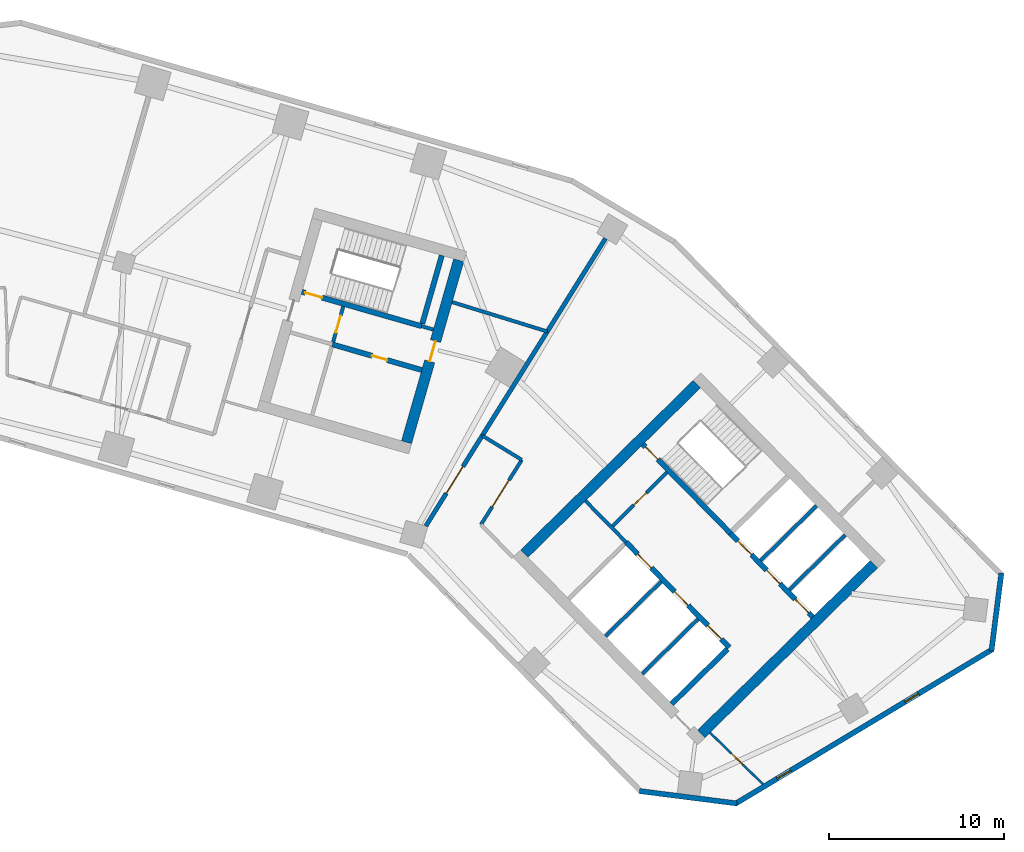
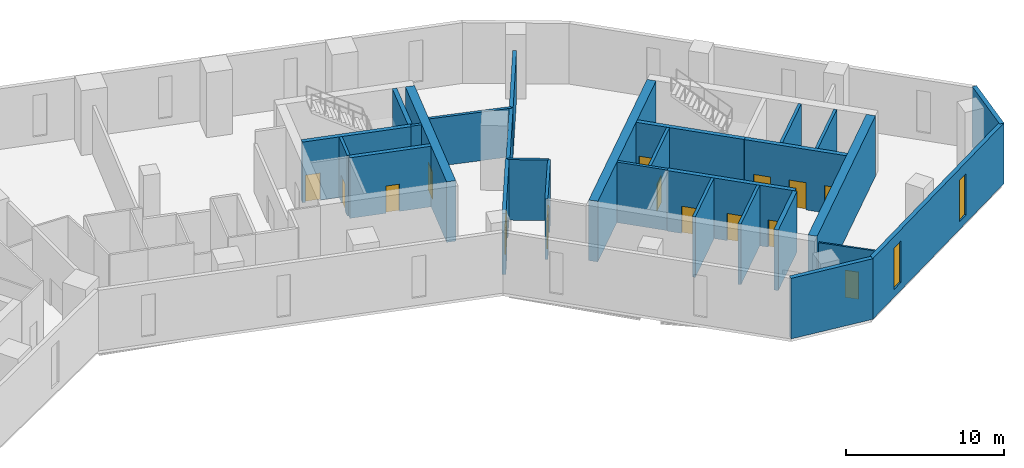
# One storey, part 6 of 10: 28 walls, 15 doors, 2 windows, 17 openings.
"""IFC4 building model written with IfcOpenShell, lengths in metres."""

from ifc_helpers import new_model, si_unit, direction, frame, frame_2d, origin, place, context, subcontext, project, spatial, rectangle, extrude, material, layer, layer_set, type_object, element, fill, save


model = new_model("IFC4")

# Units and contexts
model_context = context("Model", 3, precision=1e-05, world=origin(), true_north=direction((0.0, 1.0)))
body_context = subcontext(model_context, "Body", "Model", "MODEL_VIEW")
ifc_project = project(units=[si_unit("LENGTHUNIT", "METRE"), si_unit("AREAUNIT", "SQUARE_METRE"), si_unit("VOLUMEUNIT", "CUBIC_METRE"), si_unit("PLANEANGLEUNIT", "RADIAN"), si_unit("MASSUNIT", "GRAM", prefix="KILO")], contexts=[model_context])

# Site, building, storey
site_placement = place(None, origin())
site = spatial("IfcSite", under=ifc_project, at=site_placement, CompositionType="ELEMENT")
building_placement = place(site_placement, origin())
building = spatial("IfcBuilding", under=site, at=building_placement, Name="Binnacle Exchange Tower", CompositionType="ELEMENT")
storey_placement = place(building_placement, frame((0.0, 0.0, 51.5)))
storey = spatial("IfcBuildingStorey", under=building, at=storey_placement, Name="L10", CompositionType="ELEMENT", Elevation=51.5)

# Wall, openings, doors
ifc_material_1 = material(Name="Concrete C70/85", Category="concrete")
ifc_layer_1 = layer(ifc_material_1, 0.300048828125)
ifc_layer_set_1 = layer_set([ifc_layer_1], Name="Core wall - front 300")
wall_type_1 = type_object("IfcWallType", Name="Core wall - front 300", PredefinedType="SOLIDWALL", material=ifc_layer_set_1)
wall_1_placement = place(storey_placement, frame((37.8740234375, 41.41552734375, 0.0), z_axis=(0.0, 0.0, 1.0), x_axis=(0.700918271237, -0.71324159795, 0.0)))
wall_1 = element("IfcWall", 1, at=wall_1_placement, inside=storey, type_object=wall_type_1, Name="Core wall CRWB3", PredefinedType="SOLIDWALL", context=body_context, shape_type="SweptSolid", body=[
    extrude(rectangle(XDim=8.39990234375, YDim=0.300048828125, at=frame_2d((4.199951171875, 0.0))), origin(), (0.0, 0.0, 1.0), 4.679931640625),
])
opening_1_placement = place(wall_1_placement, frame((0.949951171875, 0.0, 0.0)))
opening_1 = element("IfcOpeningElement", 2, at=opening_1_placement, cuts=wall_1, Name="Opening LD15", PredefinedType="OPENING", context=body_context, shape_type="SweptSolid", body=[
    extrude(rectangle(XDim=1.10009765625, YDim=2.10009765625, at=frame_2d((0.550048828125, 1.050048828125))), frame((0.0, 0.159912109375, 0.0), z_axis=(0.0, -1.0, 0.0), x_axis=(1.0, 0.0, 0.0)), (0.0, 0.0, 1.0), 0.320068359375),
])
opening_2_placement = place(wall_1_placement, frame((3.949951171875, 0.0, 0.0)))
opening_2 = element("IfcOpeningElement", 3, at=opening_2_placement, cuts=wall_1, Name="Opening LD16", PredefinedType="OPENING", context=body_context, shape_type="SweptSolid", body=[
    extrude(rectangle(XDim=1.10009765625, YDim=2.10009765625, at=frame_2d((0.550048828125, 1.050048828125))), frame((0.0, 0.159912109375, 0.0), z_axis=(0.0, -1.0, 0.0), x_axis=(1.0, 0.0, 0.0)), (0.0, 0.0, 1.0), 0.320068359375),
])
opening_3_placement = place(wall_1_placement, frame((6.64990234375, 0.0, 0.0)))
opening_3 = element("IfcOpeningElement", 4, at=opening_3_placement, cuts=wall_1, Name="Opening LD4", PredefinedType="OPENING", context=body_context, shape_type="SweptSolid", body=[
    extrude(rectangle(XDim=1.10009765625, YDim=2.10009765625, at=frame_2d((0.550048828125, 1.050048828125))), frame((0.0, 0.159912109375, 0.0), z_axis=(0.0, -1.0, 0.0), x_axis=(1.0, 0.0, 0.0)), (0.0, 0.0, 1.0), 0.320068359375),
])
ifc_material_2 = material(Name="Steel door leaf", Category="steel")
door_type_1 = type_object("IfcDoorType", Name="Fire door - lift landing 1100", OperationType="NOTDEFINED", PredefinedType="DOOR", material=ifc_material_2)
door_1_placement = place(opening_1_placement, origin())
door_1 = element("IfcDoor", 5, at=door_1_placement, inside=storey, type_object=door_type_1, Name="Landing door LD15 L10", OperationType="DOUBLE_DOOR_SLIDING", OverallHeight=2.10009765625, OverallWidth=1.10009765625, PredefinedType="DOOR", context=body_context, shape_type="SweptSolid", body=[
    extrude(rectangle(XDim=1.10009765625, YDim=2.10009765625, at=frame_2d((0.550048828125, 1.050048828125))), frame((0.0, 0.02490234375, 0.0), z_axis=(0.0, -1.0, 0.0), x_axis=(1.0, 0.0, 0.0)), (0.0, 0.0, 1.0), 0.050048828125),
])
fill(opening_1, door_1)
door_2_placement = place(opening_2_placement, origin())
door_2 = element("IfcDoor", 6, at=door_2_placement, inside=storey, type_object=door_type_1, Name="Landing door LD16 L10", OperationType="DOUBLE_DOOR_SLIDING", OverallHeight=2.10009765625, OverallWidth=1.10009765625, PredefinedType="DOOR", context=body_context, shape_type="SweptSolid", body=[
    extrude(rectangle(XDim=1.10009765625, YDim=2.10009765625, at=frame_2d((0.550048828125, 1.050048828125))), frame((0.0, 0.02490234375, 0.0), z_axis=(0.0, -1.0, 0.0), x_axis=(1.0, 0.0, 0.0)), (0.0, 0.0, 1.0), 0.050048828125),
])
fill(opening_2, door_2)
door_3_placement = place(opening_3_placement, origin())
door_3 = element("IfcDoor", 7, at=door_3_placement, inside=storey, type_object=door_type_1, Name="Landing door LD4 L10", OperationType="DOUBLE_DOOR_SLIDING", OverallHeight=2.10009765625, OverallWidth=1.10009765625, PredefinedType="DOOR", context=body_context, shape_type="SweptSolid", body=[
    extrude(rectangle(XDim=1.10009765625, YDim=2.10009765625, at=frame_2d((0.550048828125, 1.050048828125))), frame((0.0, 0.02490234375, 0.0), z_axis=(0.0, -1.0, 0.0), x_axis=(1.0, 0.0, 0.0)), (0.0, 0.0, 1.0), 0.050048828125),
])
fill(opening_3, door_3)

wall_2_placement = place(storey_placement, frame((43.818603515625, 41.92919921875, 0.0), z_axis=(0.0, 0.0, 1.0), x_axis=(0.700921619155, -0.713238307862, 0.0)))
wall_2 = element("IfcWall", 8, at=wall_2_placement, inside=storey, type_object=wall_type_1, Name="Core wall CRWB5", PredefinedType="SOLIDWALL", context=body_context, shape_type="SweptSolid", body=[
    extrude(rectangle(XDim=6.69970703125, YDim=0.300048828125, at=frame_2d((3.349853515625, 0.0))), origin(), (0.0, 0.0, 1.0), 4.679931640625),
])
opening_4_placement = place(wall_2_placement, frame((0.614990234375, 0.0, 0.0)))
opening_4 = element("IfcOpeningElement", 9, at=opening_4_placement, cuts=wall_2, Name="Opening LD1", PredefinedType="OPENING", context=body_context, shape_type="SweptSolid", body=[
    extrude(rectangle(XDim=1.10009765625, YDim=2.10009765625, at=frame_2d((0.550048828125, 1.050048828125))), frame((0.0, 0.159912109375, 0.0), z_axis=(0.0, -1.0, 0.0), x_axis=(1.0, 0.0, 0.0)), (0.0, 0.0, 1.0), 0.320068359375),
])
opening_5_placement = place(wall_2_placement, frame((2.945068359375, 0.0, 0.0)))
opening_5 = element("IfcOpeningElement", 10, at=opening_5_placement, cuts=wall_2, Name="Opening LD2", PredefinedType="OPENING", context=body_context, shape_type="SweptSolid", body=[
    extrude(rectangle(XDim=1.10009765625, YDim=2.10009765625, at=frame_2d((0.550048828125, 1.050048828125))), frame((0.0, 0.159912109375, 0.0), z_axis=(0.0, -1.0, 0.0), x_axis=(1.0, 0.0, 0.0)), (0.0, 0.0, 1.0), 0.320068359375),
])
opening_6_placement = place(wall_2_placement, frame((5.280029296875, 0.0, 0.0)))
opening_6 = element("IfcOpeningElement", 11, at=opening_6_placement, cuts=wall_2, Name="Opening LD3", PredefinedType="OPENING", context=body_context, shape_type="SweptSolid", body=[
    extrude(rectangle(XDim=1.10009765625, YDim=2.10009765625, at=frame_2d((0.550048828125, 1.050048828125))), frame((0.0, 0.159912109375, 0.0), z_axis=(0.0, -1.0, 0.0), x_axis=(1.0, 0.0, 0.0)), (0.0, 0.0, 1.0), 0.320068359375),
])
door_4_placement = place(opening_4_placement, origin())
door_4 = element("IfcDoor", 12, at=door_4_placement, inside=storey, type_object=door_type_1, Name="Landing door LD1 L10", OperationType="DOUBLE_DOOR_SLIDING", OverallHeight=2.10009765625, OverallWidth=1.10009765625, PredefinedType="DOOR", context=body_context, shape_type="SweptSolid", body=[
    extrude(rectangle(XDim=1.10009765625, YDim=2.10009765625, at=frame_2d((0.550048828125, 1.050048828125))), frame((0.0, 0.02490234375, 0.0), z_axis=(0.0, -1.0, 0.0), x_axis=(1.0, 0.0, 0.0)), (0.0, 0.0, 1.0), 0.050048828125),
])
fill(opening_4, door_4)
door_5_placement = place(opening_5_placement, origin())
door_5 = element("IfcDoor", 13, at=door_5_placement, inside=storey, type_object=door_type_1, Name="Landing door LD2 L10", OperationType="DOUBLE_DOOR_SLIDING", OverallHeight=2.10009765625, OverallWidth=1.10009765625, PredefinedType="DOOR", context=body_context, shape_type="SweptSolid", body=[
    extrude(rectangle(XDim=1.10009765625, YDim=2.10009765625, at=frame_2d((0.550048828125, 1.050048828125))), frame((0.0, 0.02490234375, 0.0), z_axis=(0.0, -1.0, 0.0), x_axis=(1.0, 0.0, 0.0)), (0.0, 0.0, 1.0), 0.050048828125),
])
fill(opening_5, door_5)
door_6_placement = place(opening_6_placement, origin())
door_6 = element("IfcDoor", 14, at=door_6_placement, inside=storey, type_object=door_type_1, Name="Landing door LD3 L10", OperationType="DOUBLE_DOOR_SLIDING", OverallHeight=2.10009765625, OverallWidth=1.10009765625, PredefinedType="DOOR", context=body_context, shape_type="SweptSolid", body=[
    extrude(rectangle(XDim=1.10009765625, YDim=2.10009765625, at=frame_2d((0.550048828125, 1.050048828125))), frame((0.0, 0.02490234375, 0.0), z_axis=(0.0, -1.0, 0.0), x_axis=(1.0, 0.0, 0.0)), (0.0, 0.0, 1.0), 0.050048828125),
])
fill(opening_6, door_6)

# Wall
wall_3_placement = place(storey_placement, frame((40.480712890625, 32.199951171875, 0.0), z_axis=(0.0, 0.0, 1.0), x_axis=(0.713251741427, 0.700907949271, 0.0)))
element("IfcWall", 15, at=wall_3_placement, inside=storey, type_object=wall_type_1, Name="Core wall CRWB14", PredefinedType="SOLIDWALL", context=body_context, shape_type="SweptSolid", body=[
    extrude(rectangle(XDim=4.4501953125, YDim=0.300048828125, at=frame_2d((2.22509765625, 0.0))), origin(), (0.0, 0.0, 1.0), 4.679931640625),
])

# Wall, opening, door
wall_4_placement = place(storey_placement, frame((21.130859375, 52.6923828125, 0.0), z_axis=(0.0, 0.0, 1.0), x_axis=(0.961271492568, -0.275603188616, 0.0)))
wall_4 = element("IfcWall", 16, at=wall_4_placement, inside=storey, type_object=wall_type_1, Name="Core wall CRWD3", PredefinedType="SOLIDWALL", context=body_context, shape_type="SweptSolid", body=[
    extrude(rectangle(XDim=5.300048828125, YDim=0.300048828125, at=frame_2d((2.64990234375, 0.0))), origin(), (0.0, 0.0, 1.0), 4.679931640625),
])
opening_7_placement = place(wall_4_placement, frame((2.35009765625, 0.0, 0.0)))
opening_7 = element("IfcOpeningElement", 17, at=opening_7_placement, cuts=wall_4, Name="Opening DD10", PredefinedType="OPENING", context=body_context, shape_type="SweptSolid", body=[
    extrude(rectangle(XDim=0.89990234375, YDim=2.10009765625, at=frame_2d((0.449951171875, 1.050048828125))), frame((0.0, 0.159912109375, 0.0), z_axis=(0.0, -1.0, 0.0), x_axis=(1.0, 0.0, 0.0)), (0.0, 0.0, 1.0), 0.320068359375),
])
door_type_2 = type_object("IfcDoorType", Name="Fire door 900", OperationType="NOTDEFINED", PredefinedType="DOOR", material=ifc_material_2)
door_7_placement = place(opening_7_placement, frame((0.89990234375, 0.0, 0.0), z_axis=(0.0, 0.0, 1.0), x_axis=(-1.0, 0.0, 0.0)))
door_7 = element("IfcDoor", 18, at=door_7_placement, inside=storey, type_object=door_type_2, Name="Core room door PANTRY", OperationType="SINGLE_SWING_LEFT", OverallHeight=2.10009765625, OverallWidth=0.89990234375, PredefinedType="DOOR", context=body_context, shape_type="SweptSolid", body=[
    extrude(rectangle(XDim=0.89990234375, YDim=2.10009765625, at=frame_2d((0.449951171875, 1.050048828125))), frame((0.0, 0.02490234375, 0.0), z_axis=(0.0, -1.0, 0.0), x_axis=(1.0, 0.0, 0.0)), (0.0, 0.0, 1.0), 0.050048828125),
])
fill(opening_7, door_7)

# Walls
ifc_layer_2 = layer(ifc_material_1, 0.60009765625)
ifc_layer_set_2 = layer_set([ifc_layer_2], Name="Core wall - outer 600")
wall_type_2 = type_object("IfcWallType", Name="Core wall - outer 600", PredefinedType="SOLIDWALL", material=ifc_layer_set_2)
for number, where, z_axis, x_axis, name in (
    (19, (32.06982421875, 40.759033203125, 0.0), (0.0, 0.0, 1.0), (0.713245344712, 0.70091445858, 0.0), "Core wall CRWB7"),
    (20, (42.1630859375, 30.48828125, 0.0), (0.0, 0.0, 1.0), (0.713245344712, 0.70091445858, 0.0), "Core wall CRWB16"),
):
    element("IfcWall", number, at=place(storey_placement, frame(where, z_axis=z_axis, x_axis=x_axis)), inside=storey, type_object=wall_type_2, Name=name, PredefinedType="SOLIDWALL", context=body_context, shape_type="SweptSolid", body=[
        extrude(rectangle(XDim=13.800048828125, YDim=0.60009765625, at=frame_2d((6.89990234375, 0.0))), origin(), (0.0, 0.0, 1.0), 4.679931640625),
    ])

# Wall, opening, door
wall_5_placement = place(storey_placement, frame((25.356201171875, 47.111572265625, 0.0), z_axis=(0.0, 0.0, 1.0), x_axis=(0.275631631629, 0.961263337304, 0.0)))
wall_5 = element("IfcWall", 21, at=wall_5_placement, inside=storey, type_object=wall_type_2, Name="Core wall CRWD12", PredefinedType="SOLIDWALL", context=body_context, shape_type="SweptSolid", body=[
    extrude(rectangle(XDim=10.800048828125, YDim=0.60009765625, at=frame_2d((5.39990234375, 0.0))), origin(), (0.0, 0.0, 1.0), 4.679931640625),
])
opening_8_placement = place(wall_5_placement, frame((4.800048828125, 0.0, 0.0)))
opening_8 = element("IfcOpeningElement", 22, at=opening_8_placement, cuts=wall_5, Name="Opening DD6", PredefinedType="OPENING", context=body_context, shape_type="SweptSolid", body=[
    extrude(rectangle(XDim=1.199951171875, YDim=2.10009765625, at=frame_2d((0.60009765625, 1.050048828125))), frame((0.0, 0.31005859375, 0.0), z_axis=(0.0, -1.0, 0.0), x_axis=(1.0, 0.0, 0.0)), (0.0, 0.0, 1.0), 0.6201171875),
])
door_type_3 = type_object("IfcDoorType", Name="Fire door 1200", OperationType="NOTDEFINED", PredefinedType="DOOR", material=ifc_material_2)
door_8_placement = place(opening_8_placement, frame((1.199951171875, 0.0, 0.0), z_axis=(0.0, 0.0, 1.0), x_axis=(-1.0, 0.0, 0.0)))
door_8 = element("IfcDoor", 23, at=door_8_placement, inside=storey, type_object=door_type_3, Name="Core passage exit door", OperationType="SINGLE_SWING_LEFT", OverallHeight=2.10009765625, OverallWidth=1.199951171875, PredefinedType="DOOR", context=body_context, shape_type="SweptSolid", body=[
    extrude(rectangle(XDim=1.199951171875, YDim=2.10009765625, at=frame_2d((0.60009765625, 1.050048828125))), frame((0.0, 0.02490234375, 0.0), z_axis=(0.0, -1.0, 0.0), x_axis=(1.0, 0.0, 0.0)), (0.0, 0.0, 1.0), 0.050048828125),
])
fill(opening_8, door_8)

ifc_layer_3 = layer(ifc_material_1, 0.300048828125)
ifc_layer_set_3 = layer_set([ifc_layer_3], Name="Core wall - stair 300")
wall_type_3 = type_object("IfcWallType", Name="Core wall - stair 300", PredefinedType="SOLIDWALL", material=ifc_layer_set_3)
wall_6_placement = place(storey_placement, frame((38.842041015625, 46.993408203125, 0.0), z_axis=(0.0, 0.0, 1.0), x_axis=(0.700907701701, -0.713251984713, 0.0)))
wall_6 = element("IfcWall", 24, at=wall_6_placement, inside=storey, type_object=wall_type_3, Name="Core wall CRWB4", PredefinedType="SOLIDWALL", context=body_context, shape_type="SweptSolid", body=[
    extrude(rectangle(XDim=7.10009765625, YDim=0.300048828125, at=frame_2d((3.550048828125, 0.0))), origin(), (0.0, 0.0, 1.0), 4.679931640625),
])
opening_9_placement = place(wall_6_placement, frame((0.199951171875, 0.0, 0.0)))
opening_9 = element("IfcOpeningElement", 25, at=opening_9_placement, cuts=wall_6, Name="Opening DB1", PredefinedType="OPENING", context=body_context, shape_type="SweptSolid", body=[
    extrude(rectangle(XDim=1.0, YDim=2.10009765625, at=frame_2d((0.5, 1.050048828125))), frame((0.0, 0.159912109375, 0.0), z_axis=(0.0, -1.0, 0.0), x_axis=(1.0, 0.0, 0.0)), (0.0, 0.0, 1.0), 0.320068359375),
])
door_type_4 = type_object("IfcDoorType", Name="Fire door 1000", OperationType="NOTDEFINED", PredefinedType="DOOR", material=ifc_material_2)
door_9_placement = place(opening_9_placement, origin())
door_9 = element("IfcDoor", 26, at=door_9_placement, inside=storey, type_object=door_type_4, Name="Stair door ST-B1", OperationType="SINGLE_SWING_LEFT", OverallHeight=2.10009765625, OverallWidth=1.0, PredefinedType="DOOR", context=body_context, shape_type="SweptSolid", body=[
    extrude(rectangle(XDim=1.0, YDim=2.10009765625, at=frame_2d((0.5, 1.050048828125))), frame((0.0, 0.02490234375, 0.0), z_axis=(0.0, -1.0, 0.0), x_axis=(1.0, 0.0, 0.0)), (0.0, 0.0, 1.0), 0.050048828125),
])
fill(opening_9, door_9)

wall_7_placement = place(storey_placement, frame((19.38916015625, 55.688720703125, 0.0), z_axis=(0.0, 0.0, 1.0), x_axis=(0.961261397636, -0.275638396117, 0.0)))
wall_7 = element("IfcWall", 27, at=wall_7_placement, inside=storey, type_object=wall_type_3, Name="Core wall CRWD4", PredefinedType="SOLIDWALL", context=body_context, shape_type="SweptSolid", body=[
    extrude(rectangle(XDim=7.10009765625, YDim=0.300048828125, at=frame_2d((3.550048828125, 0.0))), origin(), (0.0, 0.0, 1.0), 4.679931640625),
])
opening_10_placement = place(wall_7_placement, frame((0.199951171875, 0.0, 0.0)))
opening_10 = element("IfcOpeningElement", 28, at=opening_10_placement, cuts=wall_7, Name="Opening DD1", PredefinedType="OPENING", context=body_context, shape_type="SweptSolid", body=[
    extrude(rectangle(XDim=1.0, YDim=2.10009765625, at=frame_2d((0.5, 1.050048828125))), frame((0.0, 0.159912109375, 0.0), z_axis=(0.0, -1.0, 0.0), x_axis=(1.0, 0.0, 0.0)), (0.0, 0.0, 1.0), 0.320068359375),
])
door_10_placement = place(opening_10_placement, origin())
door_10 = element("IfcDoor", 29, at=door_10_placement, inside=storey, type_object=door_type_4, Name="Stair door ST-D1", OperationType="SINGLE_SWING_LEFT", OverallHeight=2.10009765625, OverallWidth=1.0, PredefinedType="DOOR", context=body_context, shape_type="SweptSolid", body=[
    extrude(rectangle(XDim=1.0, YDim=2.10009765625, at=frame_2d((0.5, 1.050048828125))), frame((0.0, 0.02490234375, 0.0), z_axis=(0.0, -1.0, 0.0), x_axis=(1.0, 0.0, 0.0)), (0.0, 0.0, 1.0), 0.050048828125),
])
fill(opening_10, door_10)

# Walls
wall_8_placement = place(storey_placement, frame((26.255615234375, 53.875732421875, 0.0), z_axis=(0.0, 0.0, 1.0), x_axis=(0.275612739511, 0.961268754209, 0.0)))
element("IfcWall", 30, at=wall_8_placement, inside=storey, type_object=wall_type_3, Name="Core wall CRWD11", PredefinedType="SOLIDWALL", context=body_context, shape_type="SweptSolid", body=[
    extrude(rectangle(XDim=4.0498046875, YDim=0.300048828125, at=frame_2d((2.02490234375, 0.0))), origin(), (0.0, 0.0, 1.0), 4.679931640625),
])
ifc_material_3 = material(Name="Bronze aluminium cladding", Category="aluminium")
ifc_layer_4 = layer(ifc_material_3, 0.300048828125)
ifc_layer_set_4 = layer_set([ifc_layer_4], Name="External wall - spandrel 300")
wall_type_4 = type_object("IfcWallType", Name="External wall - spandrel 300", PredefinedType="STANDARD", material=ifc_layer_set_4)
wall_9_placement = place(storey_placement, frame((44.19580078125, 26.517822265625, 0.0), z_axis=(0.0, 0.0, 1.0), x_axis=(-0.992001881269, 0.126223086474, 0.0)))
element("IfcWall", 31, at=wall_9_placement, inside=storey, type_object=wall_type_4, Name="External wall EW-F10 L10", PredefinedType="STANDARD", context=body_context, shape_type="SweptSolid", body=[
    extrude(rectangle(XDim=5.6015625, YDim=0.300048828125, at=frame_2d((2.80078125, 0.0))), origin(), (0.0, 0.0, 1.0), 4.679931640625),
])

# Wall, openings, windows
wall_10_placement = place(storey_placement, frame((58.7783203125, 35.317626953125, 0.0), z_axis=(0.0, 0.0, 1.0), x_axis=(-0.857168206138, -0.515036568009, 0.0)))
wall_10 = element("IfcWall", 32, at=wall_10_placement, inside=storey, type_object=wall_type_4, Name="External wall EW-F11 L10", PredefinedType="STANDARD", context=body_context, shape_type="SweptSolid", body=[
    extrude(rectangle(XDim=17.124755859375, YDim=0.300048828125, at=frame_2d((8.5625, 0.0))), origin(), (0.0, 0.0, 1.0), 4.679931640625),
])
opening_11_placement = place(wall_10_placement, frame((13.435302734375, 0.0, 0.60009765625)))
opening_11 = element("IfcOpeningElement", 33, at=opening_11_placement, cuts=wall_10, Name="Opening WS1", PredefinedType="OPENING", context=body_context, shape_type="SweptSolid", body=[
    extrude(rectangle(XDim=0.89990234375, YDim=3.199951171875, at=frame_2d((0.449951171875, 1.60009765625))), frame((0.0, 0.159912109375, 0.0), z_axis=(0.0, -1.0, 0.0), x_axis=(1.0, 0.0, 0.0)), (0.0, 0.0, 1.0), 0.320068359375),
])
opening_12_placement = place(wall_10_placement, frame((4.935302734375, 0.0, 0.60009765625)))
opening_12 = element("IfcOpeningElement", 34, at=opening_12_placement, cuts=wall_10, Name="Opening WS1", PredefinedType="OPENING", context=body_context, shape_type="SweptSolid", body=[
    extrude(rectangle(XDim=0.89990234375, YDim=3.199951171875, at=frame_2d((0.449951171875, 1.60009765625))), frame((0.0, 0.159912109375, 0.0), z_axis=(0.0, -1.0, 0.0), x_axis=(1.0, 0.0, 0.0)), (0.0, 0.0, 1.0), 0.320068359375),
])
ifc_material_4 = material(Name="Bronze anodised aluminium frame", Category="aluminium")
window_type = type_object("IfcWindowType", Name="WS1 WINDOW 900x3200", PartitioningType="SINGLE_PANEL", PredefinedType="WINDOW", material=ifc_material_4)
window_1_placement = place(opening_11_placement, origin())
window_1 = element("IfcWindow", 35, at=window_1_placement, inside=storey, type_object=window_type, Name="Window WS1 L10", OverallHeight=3.199951171875, OverallWidth=0.89990234375, PartitioningType="SINGLE_PANEL", PredefinedType="WINDOW", context=body_context, shape_type="SweptSolid", body=[
    extrude(rectangle(XDim=0.89990234375, YDim=3.199951171875, at=frame_2d((0.449951171875, 1.60009765625))), frame((0.0, 0.030029296875, 0.0), z_axis=(0.0, -1.0, 0.0), x_axis=(1.0, 0.0, 0.0)), (0.0, 0.0, 1.0), 0.06005859375),
])
fill(opening_11, window_1)
window_2_placement = place(opening_12_placement, origin())
window_2 = element("IfcWindow", 36, at=window_2_placement, inside=storey, type_object=window_type, Name="Window WS1 L10", OverallHeight=3.199951171875, OverallWidth=0.89990234375, PartitioningType="SINGLE_PANEL", PredefinedType="WINDOW", context=body_context, shape_type="SweptSolid", body=[
    extrude(rectangle(XDim=0.89990234375, YDim=3.199951171875, at=frame_2d((0.449951171875, 1.60009765625))), frame((0.0, 0.030029296875, 0.0), z_axis=(0.0, -1.0, 0.0), x_axis=(1.0, 0.0, 0.0)), (0.0, 0.0, 1.0), 0.06005859375),
])
fill(opening_12, window_2)

# Walls
wall_11_placement = place(storey_placement, frame((59.27197265625, 39.6513671875, 0.0), z_axis=(0.0, 0.0, 1.0), x_axis=(-0.126181137886, -0.992007217938, 0.0)))
element("IfcWall", 37, at=wall_11_placement, inside=storey, type_object=wall_type_4, Name="External wall EW-F12 L10", PredefinedType="STANDARD", context=body_context, shape_type="SweptSolid", body=[
    extrude(rectangle(XDim=4.479248046875, YDim=0.300048828125, at=frame_2d((2.23974609375, 0.0))), origin(), (0.0, 0.0, 1.0), 4.679931640625),
])
ifc_material_5 = material(Name="Masonry block wall", Category="masonry")
ifc_layer_5 = layer(ifc_material_5, 0.199951171875)
ifc_layer_set_5 = layer_set([ifc_layer_5], Name="Fire wall - block 200")
wall_type_5 = type_object("IfcWallType", Name="Fire wall - block 200", PredefinedType="PARTITIONING", material=ifc_layer_set_5)
wall_12_placement = place(storey_placement, frame((27.9599609375, 55.10302734375, 0.0), z_axis=(0.0, 0.0, 1.0), x_axis=(0.955442775069, -0.29517639399, 0.0)))
element("IfcWall", 38, at=wall_12_placement, inside=storey, type_object=wall_type_5, Name="Partition W37", PredefinedType="PARTITIONING", context=body_context, shape_type="SweptSolid", body=[
    extrude(rectangle(XDim=5.677978515625, YDim=0.199951171875, at=frame_2d((2.8388671875, 0.0))), origin(), (0.0, 0.0, 1.0), 3.748046875),
])

# Wall, opening, door
wall_13_placement = place(storey_placement, frame((29.60009765625, 42.416015625, 0.0), z_axis=(0.0, 0.0, 1.0), x_axis=(0.533582711531, 0.84574788794, 0.0)))
wall_13 = element("IfcWall", 39, at=wall_13_placement, inside=storey, type_object=wall_type_5, Name="Partition W39", PredefinedType="PARTITIONING", context=body_context, shape_type="SweptSolid", body=[
    extrude(rectangle(XDim=4.366455078125, YDim=0.199951171875, at=frame_2d((2.18310546875, 0.0))), origin(), (0.0, 0.0, 1.0), 4.679931640625),
])
opening_13_placement = place(wall_13_placement, frame((1.199951171875, 0.0, 0.0)))
opening_13 = element("IfcOpeningElement", 40, at=opening_13_placement, cuts=wall_13, Name="Opening DL08-11", PredefinedType="OPENING", context=body_context, shape_type="SweptSolid", body=[
    extrude(rectangle(XDim=1.800048828125, YDim=2.10009765625, at=frame_2d((0.89990234375, 1.050048828125))), frame((0.0, 0.10986328125, 0.0), z_axis=(0.0, -1.0, 0.0), x_axis=(1.0, 0.0, 0.0)), (0.0, 0.0, 1.0), 0.219970703125),
])
door_type_5 = type_object("IfcDoorType", Name="Fire door 1800", OperationType="NOTDEFINED", PredefinedType="DOOR", material=ifc_material_2)
door_11_placement = place(opening_13_placement, frame((1.800048828125, 0.0, 0.0), z_axis=(0.0, 0.0, 1.0), x_axis=(-1.0, 0.0, 0.0)))
door_11 = element("IfcDoor", 41, at=door_11_placement, inside=storey, type_object=door_type_5, Name="Door DL08-11", OperationType="DOUBLE_DOOR_SINGLE_SWING", OverallHeight=2.10009765625, OverallWidth=1.800048828125, PredefinedType="DOOR", context=body_context, shape_type="SweptSolid", body=[
    extrude(rectangle(XDim=1.800048828125, YDim=2.10009765625, at=frame_2d((0.89990234375, 1.050048828125))), frame((0.0, 0.02490234375, 0.0), z_axis=(0.0, -1.0, 0.0), x_axis=(1.0, 0.0, 0.0)), (0.0, 0.0, 1.0), 0.050048828125),
])
fill(opening_13, door_11)

# Wall
wall_14_placement = place(storey_placement, frame((29.675048828125, 47.490966796875, 0.0), z_axis=(0.0, 0.0, 1.0), x_axis=(0.852591965232, -0.522577210392, 0.0)))
element("IfcWall", 42, at=wall_14_placement, inside=storey, type_object=wall_type_5, Name="Partition W40", PredefinedType="PARTITIONING", context=body_context, shape_type="SweptSolid", body=[
    extrude(rectangle(XDim=2.644775390625, YDim=0.199951171875, at=frame_2d((1.322265625, 0.0))), origin(), (0.0, 0.0, 1.0), 4.679931640625),
])

# Wall, opening, door
ifc_material_6 = material(Name="Concrete fire wall C30/37", Category="concrete")
ifc_layer_6 = layer(ifc_material_6, 0.25)
ifc_layer_set_6 = layer_set([ifc_layer_6], Name="Fire wall - compartment 250")
wall_type_6 = type_object("IfcWallType", Name="Fire wall - compartment 250", PredefinedType="PARTITIONING", material=ifc_layer_set_6)
wall_15_placement = place(storey_placement, frame((26.4560546875, 42.337890625, 0.0), z_axis=(0.0, 0.0, 1.0), x_axis=(0.52980027265, 0.848122438743, 0.0)))
wall_15 = element("IfcWall", 43, at=wall_15_placement, inside=storey, type_object=wall_type_6, Name="Fire Wall W36", PredefinedType="PARTITIONING", context=body_context, shape_type="SweptSolid", body=[
    extrude(rectangle(XDim=6.075927734375, YDim=0.25, at=frame_2d((3.0380859375, 0.0))), origin(), (0.0, 0.0, 1.0), 4.679931640625),
])
opening_14_placement = place(wall_15_placement, frame((2.199951171875, 0.0, 0.0)))
opening_14 = element("IfcOpeningElement", 44, at=opening_14_placement, cuts=wall_15, Name="Opening DL08-14", PredefinedType="OPENING", context=body_context, shape_type="SweptSolid", body=[
    extrude(rectangle(XDim=1.800048828125, YDim=2.10009765625, at=frame_2d((0.89990234375, 1.050048828125))), frame((0.0, 0.135009765625, 0.0), z_axis=(0.0, -1.0, 0.0), x_axis=(1.0, 0.0, 0.0)), (0.0, 0.0, 1.0), 0.27001953125),
])
door_12_placement = place(opening_14_placement, origin())
door_12 = element("IfcDoor", 45, at=door_12_placement, inside=storey, type_object=door_type_5, Name="Door DL08-14", OperationType="DOUBLE_DOOR_SINGLE_SWING", OverallHeight=2.10009765625, OverallWidth=1.800048828125, PredefinedType="DOOR", context=body_context, shape_type="SweptSolid", body=[
    extrude(rectangle(XDim=1.800048828125, YDim=2.10009765625, at=frame_2d((0.89990234375, 1.050048828125))), frame((0.0, 0.02490234375, 0.0), z_axis=(0.0, -1.0, 0.0), x_axis=(1.0, 0.0, 0.0)), (0.0, 0.0, 1.0), 0.050048828125),
])
fill(opening_14, door_12)

# Walls
wall_16_placement = place(storey_placement, frame((29.675048828125, 47.490966796875, 0.0), z_axis=(0.0, 0.0, 1.0), x_axis=(0.529992669945, 0.848002222759, 0.0)))
element("IfcWall", 46, at=wall_16_placement, inside=storey, type_object=wall_type_6, Name="Fire Wall W41", PredefinedType="PARTITIONING", context=body_context, shape_type="SweptSolid", body=[
    extrude(rectangle(XDim=7.0, YDim=0.25, at=frame_2d((3.5, 0.0))), origin(), (0.0, 0.0, 1.0), 3.741943359375),
])
wall_17_placement = place(storey_placement, frame((33.385009765625, 53.427001953125, 0.0), z_axis=(0.0, 0.0, 1.0), x_axis=(0.529897235032, 0.848061861131, 0.0)))
element("IfcWall", 47, at=wall_17_placement, inside=storey, type_object=wall_type_6, Name="Fire Wall W42", PredefinedType="PARTITIONING", context=body_context, shape_type="SweptSolid", body=[
    extrude(rectangle(XDim=6.257568359375, YDim=0.25, at=frame_2d((3.12890625, 0.0))), origin(), (0.0, 0.0, 1.0), 3.741943359375),
])

# Wall, opening, door
ifc_layer_7 = layer(ifc_material_5, 0.199951171875)
ifc_layer_set_7 = layer_set([ifc_layer_7], Name="Fire wall - vestibule 200")
wall_type_7 = type_object("IfcWallType", Name="Fire wall - vestibule 200", PredefinedType="PARTITIONING", material=ifc_layer_set_7)
wall_18_placement = place(storey_placement, frame((37.104248046875, 42.341552734375, 0.0), z_axis=(0.0, 0.0, 1.0), x_axis=(0.713281298468, 0.700877870428, 0.0)))
wall_18 = element("IfcWall", 48, at=wall_18_placement, inside=storey, type_object=wall_type_7, Name="Core wall CRWB8", PredefinedType="PARTITIONING", context=body_context, shape_type="SweptSolid", body=[
    extrude(rectangle(XDim=4.35009765625, YDim=0.199951171875, at=frame_2d((2.175048828125, 0.0))), origin(), (0.0, 0.0, 1.0), 4.679931640625),
])
opening_15_placement = place(wall_18_placement, frame((1.699951171875, 0.0, 0.0)))
opening_15 = element("IfcOpeningElement", 49, at=opening_15_placement, cuts=wall_18, Name="Opening DB3", PredefinedType="OPENING", context=body_context, shape_type="SweptSolid", body=[
    extrude(rectangle(XDim=1.0, YDim=2.10009765625, at=frame_2d((0.5, 1.050048828125))), frame((0.0, 0.10986328125, 0.0), z_axis=(0.0, -1.0, 0.0), x_axis=(1.0, 0.0, 0.0)), (0.0, 0.0, 1.0), 0.219970703125),
])
door_13_placement = place(opening_15_placement, origin())
door_13 = element("IfcDoor", 50, at=door_13_placement, inside=storey, type_object=door_type_4, Name="Vestibule door VEST-W", OperationType="SINGLE_SWING_RIGHT", OverallHeight=2.10009765625, OverallWidth=1.0, PredefinedType="DOOR", context=body_context, shape_type="SweptSolid", body=[
    extrude(rectangle(XDim=1.0, YDim=2.10009765625, at=frame_2d((0.5, 1.050048828125))), frame((0.0, 0.02490234375, 0.0), z_axis=(0.0, -1.0, 0.0), x_axis=(1.0, 0.0, 0.0)), (0.0, 0.0, 1.0), 0.050048828125),
])
fill(opening_15, door_13)

wall_19_placement = place(storey_placement, frame((21.172119140625, 52.836669921875, 0.0), z_axis=(0.0, 0.0, 1.0), x_axis=(0.275657676022, 0.961255868981, 0.0)))
wall_19 = element("IfcWall", 51, at=wall_19_placement, inside=storey, type_object=wall_type_7, Name="Core wall CRWD9", PredefinedType="PARTITIONING", context=body_context, shape_type="SweptSolid", body=[
    extrude(rectangle(XDim=2.099853515625, YDim=0.199951171875, at=frame_2d((1.0498046875, 0.0))), origin(), (0.0, 0.0, 1.0), 4.679931640625),
])
opening_16_placement = place(wall_19_placement, frame((0.550048828125, 0.0, 0.0)))
opening_16 = element("IfcOpeningElement", 52, at=opening_16_placement, cuts=wall_19, Name="Opening DD3", PredefinedType="OPENING", context=body_context, shape_type="SweptSolid", body=[
    extrude(rectangle(XDim=1.0, YDim=2.10009765625, at=frame_2d((0.5, 1.050048828125))), frame((0.0, 0.10986328125, 0.0), z_axis=(0.0, -1.0, 0.0), x_axis=(1.0, 0.0, 0.0)), (0.0, 0.0, 1.0), 0.219970703125),
])
door_14_placement = place(opening_16_placement, origin())
door_14 = element("IfcDoor", 53, at=door_14_placement, inside=storey, type_object=door_type_4, Name="Vestibule door VEST-W", OperationType="SINGLE_SWING_RIGHT", OverallHeight=2.10009765625, OverallWidth=1.0, PredefinedType="DOOR", context=body_context, shape_type="SweptSolid", body=[
    extrude(rectangle(XDim=1.0, YDim=2.10009765625, at=frame_2d((0.5, 1.050048828125))), frame((0.0, 0.02490234375, 0.0), z_axis=(0.0, -1.0, 0.0), x_axis=(1.0, 0.0, 0.0)), (0.0, 0.0, 1.0), 0.050048828125),
])
fill(opening_16, door_14)

ifc_material_7 = material(Name="Gypsum partition")
ifc_layer_8 = layer(ifc_material_7, 0.125)
ifc_layer_set_8 = layer_set([ifc_layer_8], Name="Partition 125")
wall_type_8 = type_object("IfcWallType", Name="Partition 125", PredefinedType="PARTITIONING", material=ifc_layer_set_8)
wall_20_placement = place(storey_placement, frame((42.658935546875, 30.554931640625, 0.0), z_axis=(0.0, 0.0, 1.0), x_axis=(0.716925671772, -0.697149611743, 0.0)))
wall_20 = element("IfcWall", 54, at=wall_20_placement, inside=storey, type_object=wall_type_8, Name="Partition W43", PredefinedType="PARTITIONING", context=body_context, shape_type="SweptSolid", body=[
    extrude(rectangle(XDim=4.209716796875, YDim=0.125, at=frame_2d((2.10498046875, 0.0))), origin(), (0.0, 0.0, 1.0), 3.951904296875),
])
opening_17_placement = place(wall_20_placement, frame((1.699951171875, 0.0, 0.0)))
opening_17 = element("IfcOpeningElement", 55, at=opening_17_placement, cuts=wall_20, Name="Opening DL08-12", PredefinedType="OPENING", context=body_context, shape_type="SweptSolid", body=[
    extrude(rectangle(XDim=0.89990234375, YDim=2.10009765625, at=frame_2d((0.449951171875, 1.050048828125))), frame((0.0, 0.072509765625, 0.0), z_axis=(0.0, -1.0, 0.0), x_axis=(1.0, 0.0, 0.0)), (0.0, 0.0, 1.0), 0.14501953125),
])
ifc_material_8 = material(Name="Timber door leaf", Category="wood")
door_type_6 = type_object("IfcDoorType", Name="Door 900", OperationType="NOTDEFINED", PredefinedType="DOOR", material=ifc_material_8)
door_15_placement = place(opening_17_placement, origin())
door_15 = element("IfcDoor", 56, at=door_15_placement, inside=storey, type_object=door_type_6, Name="Door DL08-12", OperationType="SINGLE_SWING_RIGHT", OverallHeight=2.10009765625, OverallWidth=0.89990234375, PredefinedType="DOOR", context=body_context, shape_type="SweptSolid", body=[
    extrude(rectangle(XDim=0.89990234375, YDim=2.10009765625, at=frame_2d((0.449951171875, 1.050048828125))), frame((0.0, 0.02490234375, 0.0), z_axis=(0.0, -1.0, 0.0), x_axis=(1.0, 0.0, 0.0)), (0.0, 0.0, 1.0), 0.050048828125),
])
fill(opening_17, door_15)

# Walls
ifc_layer_9 = layer(ifc_material_5, 0.199951171875)
ifc_layer_set_9 = layer_set([ifc_layer_9], Name="Riser wall 200")
wall_type_9 = type_object("IfcWallType", Name="Riser wall 200", PredefinedType="SOLIDWALL", material=ifc_layer_set_9)
wall_21_placement = place(storey_placement, frame((35.56103515625, 43.769287109375, 0.0), z_axis=(0.0, 0.0, 1.0), x_axis=(0.70090232736, -0.713257266, 0.0)))
element("IfcWall", 57, at=wall_21_placement, inside=storey, type_object=wall_type_9, Name="Core wall CRWB2", PredefinedType="SOLIDWALL", context=body_context, shape_type="SweptSolid", body=[
    extrude(rectangle(XDim=3.300048828125, YDim=0.199951171875, at=frame_2d((1.64990234375, 0.0))), origin(), (0.0, 0.0, 1.0), 4.679931640625),
])
wall_22_placement = place(storey_placement, frame((26.214111328125, 53.731689453125, 0.0), z_axis=(0.0, 0.0, 1.0), x_axis=(0.96122076476, -0.27578005982, 0.0)))
element("IfcWall", 58, at=wall_22_placement, inside=storey, type_object=wall_type_9, Name="Core wall CRWD5", PredefinedType="SOLIDWALL", context=body_context, shape_type="SweptSolid", body=[
    extrude(rectangle(XDim=0.7001953125, YDim=0.199951171875, at=frame_2d((0.35009765625, 0.0))), origin(), (0.0, 0.0, 1.0), 4.679931640625),
])
ifc_layer_10 = layer(ifc_material_5, 0.199951171875)
ifc_layer_set_10 = layer_set([ifc_layer_10], Name="Shaft wall 200")
wall_type_10 = type_object("IfcWallType", Name="Shaft wall 200", PredefinedType="SOLIDWALL", material=ifc_layer_set_10)
for number, where, z_axis, x_axis, name in (
    (59, (36.69580078125, 36.051513671875, 0.0), (0.0, 0.0, 1.0), (0.713251741427, 0.700907949271, 0.0), "Core wall CRWB10"),
    (60, (38.798583984375, 33.911865234375, 0.0), (0.0, 0.0, 1.0), (0.713251741427, 0.700907949271, 0.0), "Core wall CRWB12"),
    (61, (45.55859375, 40.37255859375, 0.0), (0.0, 0.0, 1.0), (0.713251741427, 0.700907949271, 0.0), "Core wall CRWB13"),
    (62, (47.191650390625, 38.710693359375, 0.0), (0.0, 0.0, 1.0), (0.713251741427, 0.700907949271, 0.0), "Core wall CRWB15"),
):
    element("IfcWall", number, at=place(storey_placement, frame(where, z_axis=z_axis, x_axis=x_axis)), inside=storey, type_object=wall_type_10, Name=name, PredefinedType="SOLIDWALL", context=body_context, shape_type="SweptSolid", body=[
        extrude(rectangle(XDim=4.4501953125, YDim=0.199951171875, at=frame_2d((2.22509765625, 0.0))), origin(), (0.0, 0.0, 1.0), 4.679931640625),
    ])

save(model, "model.ifc")
